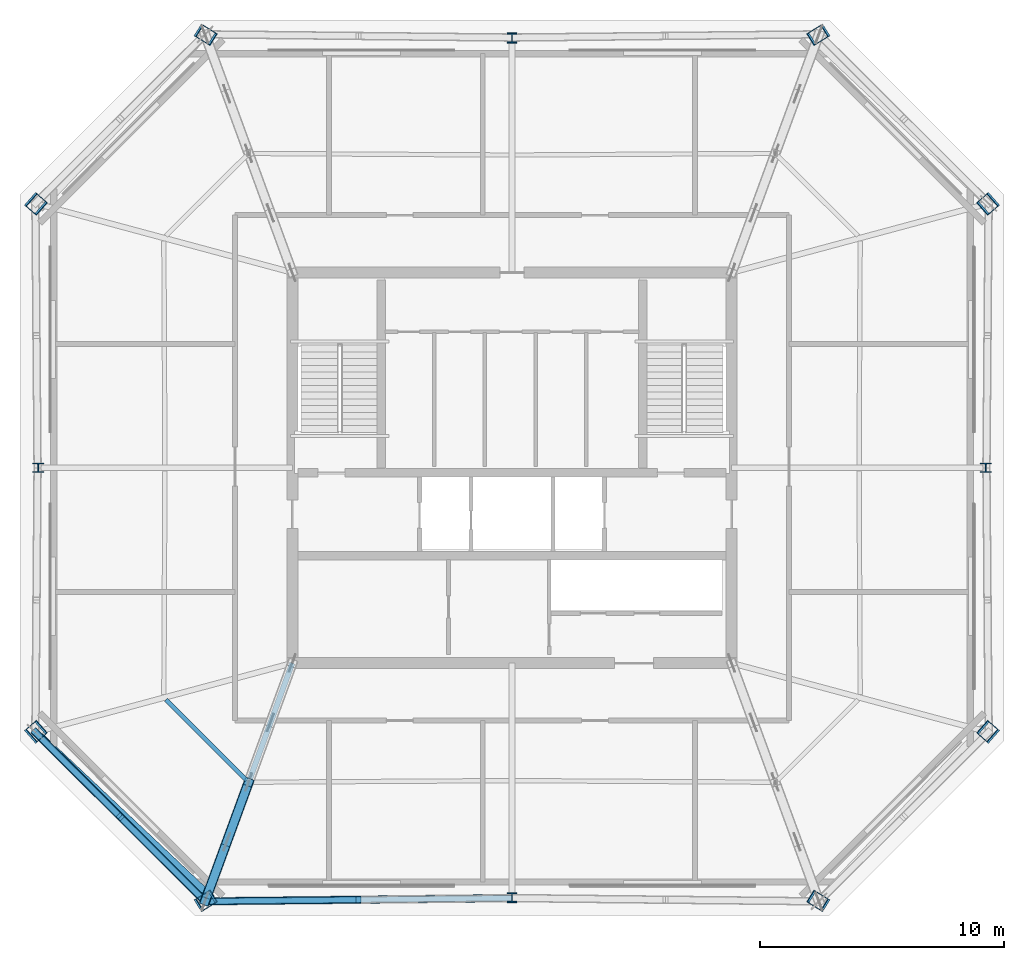
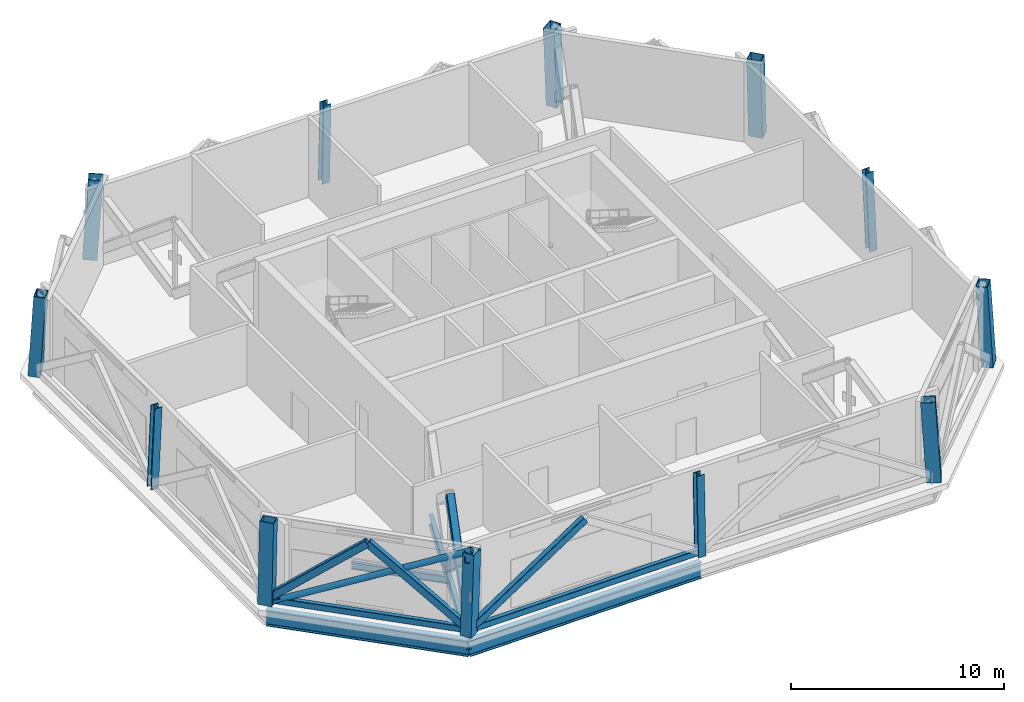
# One storey, part 1 of 10: 12 columns, 9 members, 4 beams.
"""IFC4 building model written with IfcOpenShell, lengths in metres."""

from ifc_helpers import new_model, si_unit, direction, frame, origin, origin_2d, place, context, subcontext, project, spatial, hollow_rectangle, hollow_circle, i_section, extrude, material, material_profile, profile_set, type_object, element, save


model = new_model("IFC4")

# Units and contexts
model_context = context("Model", 3, precision=1e-05, world=origin(), true_north=direction((0.0, 1.0)))
body_context = subcontext(model_context, "Body", "Model", "MODEL_VIEW")
ifc_project = project(units=[si_unit("LENGTHUNIT", "METRE"), si_unit("AREAUNIT", "SQUARE_METRE"), si_unit("VOLUMEUNIT", "CUBIC_METRE"), si_unit("PLANEANGLEUNIT", "RADIAN"), si_unit("MASSUNIT", "GRAM", prefix="KILO")], contexts=[model_context])

# Site, building, storey
site_placement = place(None, origin())
site = spatial("IfcSite", under=ifc_project, at=site_placement, CompositionType="ELEMENT")
building_placement = place(site_placement, origin())
building = spatial("IfcBuilding", under=site, at=building_placement, Name="Caelvoria Tower", CompositionType="ELEMENT")
storey_placement = place(building_placement, frame((0.0, 0.0, 234.60009765625)))
storey = spatial("IfcBuildingStorey", under=building, at=storey_placement, Name="L62", CompositionType="ELEMENT", Elevation=234.60009765625)

# Columns
ifc_material_1 = material(Name="Structural Steel ASTM A572 Gr.50", Category="steel")
ifc_material_profile_1 = material_profile(ifc_material_1, hollow_rectangle(XDim=0.580078125, YDim=0.699951171875, WallThickness=0.031982421875, at=origin_2d()), Name="Structural Steel ASTM A572 Gr.50")
ifc_profile_set_1 = profile_set([ifc_material_profile_1], Name="BOX700X580X32 - Structural Steel ASTM A572 Gr.50")
column_type_1 = type_object("IfcColumnType", Name="Mega Box Column 700x580x32", PredefinedType="COLUMN", material=ifc_profile_set_1)
for number, where, z_axis, x_axis, name in (
    (1, (33.42529296875, 14.2421875, 0.0), (0.0519022958, 0.032185817929, 0.998133370254), (-0.527015298837, 0.849855796469, 0.0), "Perimeter Megaframe Column L62-P00"),
    (2, (58.57470703125, 14.2421875, 0.0), (-0.0519022958, 0.032185817929, 0.998133370254), (-0.527015298837, -0.849855796469, 0.0), "Perimeter Megaframe Column L62-P02"),
):
    element("IfcColumn", number, at=place(storey_placement, frame(where, z_axis=z_axis, x_axis=x_axis)), inside=storey, type_object=column_type_1, Name=name, PredefinedType="COLUMN", context=body_context, shape_type="SweptSolid", body=[
        extrude(hollow_rectangle(XDim=0.580078125, YDim=0.699951171875, WallThickness=0.031982421875, at=origin_2d()), origin(), (0.0, 0.0, 1.0), 4.58154296875),
    ])
for number, where, z_axis, x_axis, name in (
    (3, (65.52490234375, 21.16748046875, 0.0), (-0.044818939226, 0.039329818251, 0.998220630964), (0.750297295971, -0.658405950567, 0.059628616594), "Perimeter Megaframe Column L62-P03"),
    (4, (65.52490234375, 42.83251953125, 0.0), (-0.044818939226, -0.039329818251, 0.998220630964), (0.750297295971, 0.658405950567, 0.059628616594), "Perimeter Megaframe Column L62-P05"),
):
    element("IfcColumn", number, at=place(storey_placement, frame(where, z_axis=z_axis, x_axis=x_axis)), inside=storey, type_object=column_type_1, Name=name, PredefinedType="COLUMN", context=body_context, shape_type="SweptSolid", body=[
        extrude(hollow_rectangle(XDim=0.580078125, YDim=0.699951171875, WallThickness=0.031982421875, at=origin_2d()), origin(), (0.0, 0.0, 1.0), 4.5810546875),
    ])
for number, where, z_axis, x_axis, name in (
    (5, (58.57470703125, 49.7578125, 0.0), (-0.0519022958, -0.032185817929, 0.998133370254), (0.527015298837, -0.849855796469, 0.0), "Perimeter Megaframe Column L62-P06"),
    (6, (33.42529296875, 49.7578125, 0.0), (0.0519022958, -0.032185817929, 0.998133370254), (0.527015298837, 0.849855796469, 0.0), "Perimeter Megaframe Column L62-P08"),
):
    element("IfcColumn", number, at=place(storey_placement, frame(where, z_axis=z_axis, x_axis=x_axis)), inside=storey, type_object=column_type_1, Name=name, PredefinedType="COLUMN", context=body_context, shape_type="SweptSolid", body=[
        extrude(hollow_rectangle(XDim=0.580078125, YDim=0.699951171875, WallThickness=0.031982421875, at=origin_2d()), origin(), (0.0, 0.0, 1.0), 4.58154296875),
    ])
for number, where, z_axis, x_axis, name in (
    (7, (26.47509765625, 42.83251953125, 0.0), (0.044818939226, -0.039329818251, 0.998220630964), (-0.750297295971, 0.658405950567, 0.059628616594), "Perimeter Megaframe Column L62-P09"),
    (8, (26.47509765625, 21.16748046875, 0.0), (0.044818939226, 0.039329818251, 0.998220630964), (-0.750297295971, -0.658405950567, 0.059628616594), "Perimeter Megaframe Column L62-P11"),
):
    element("IfcColumn", number, at=place(storey_placement, frame(where, z_axis=z_axis, x_axis=x_axis)), inside=storey, type_object=column_type_1, Name=name, PredefinedType="COLUMN", context=body_context, shape_type="SweptSolid", body=[
        extrude(hollow_rectangle(XDim=0.580078125, YDim=0.699951171875, WallThickness=0.031982421875, at=origin_2d()), origin(), (0.0, 0.0, 1.0), 4.5810546875),
    ])
ifc_material_2 = material(Name="Structural Steel ASTM A992 Gr.50", Category="steel")
ifc_material_profile_2 = material_profile(ifc_material_2, i_section(OverallWidth=0.40087890625, OverallDepth=0.39892578125, WebThickness=0.02490234375, FlangeThickness=0.03955078125, FilletRadius=0.02490234375, at=origin_2d()), Name="Structural Steel ASTM A992 Gr.50")
ifc_profile_set_2 = profile_set([ifc_material_profile_2], Name="W360X314 - Structural Steel ASTM A992 Gr.50")
column_type_2 = type_object("IfcColumnType", Name="Upper Frame Column W360X314", PredefinedType="COLUMN", material=ifc_profile_set_2)
column_1_placement = place(storey_placement, frame((46.0, 14.37451171875, 0.0), z_axis=(0.0, 0.031802814633, 0.999494162555), x_axis=(-1.0, 0.0, 0.0)))
element("IfcColumn", 9, at=column_1_placement, inside=storey, type_object=column_type_2, Name="Perimeter Megaframe Column L62-P01", PredefinedType="COLUMN", context=body_context, shape_type="SweptSolid", body=[
    extrude(i_section(OverallWidth=0.40087890625, OverallDepth=0.39892578125, WebThickness=0.02490234375, FlangeThickness=0.03955078125, FilletRadius=0.02490234375, at=origin_2d()), origin(), (0.0, 0.0, 1.0), 4.5751953125),
])
column_2_placement = place(storey_placement, frame((65.4345703125, 32.0, 0.0), z_axis=(-0.044693962311, 0.0, 0.999000725592), x_axis=(0.999000725592, 0.0, 0.044693962311)))
element("IfcColumn", 10, at=column_2_placement, inside=storey, type_object=column_type_2, Name="Perimeter Megaframe Column L62-P04", PredefinedType="COLUMN", context=body_context, shape_type="SweptSolid", body=[
    extrude(i_section(OverallWidth=0.40087890625, OverallDepth=0.39892578125, WebThickness=0.02490234375, FlangeThickness=0.03955078125, FilletRadius=0.02490234375, at=origin_2d()), origin(), (0.0, 0.0, 1.0), 4.57763671875),
])
column_3_placement = place(storey_placement, frame((46.0, 49.62548828125, 0.0), z_axis=(0.0, -0.031802814633, 0.999494162555), x_axis=(1.0, 0.0, 0.0)))
element("IfcColumn", 11, at=column_3_placement, inside=storey, type_object=column_type_2, Name="Perimeter Megaframe Column L62-P07", PredefinedType="COLUMN", context=body_context, shape_type="SweptSolid", body=[
    extrude(i_section(OverallWidth=0.40087890625, OverallDepth=0.39892578125, WebThickness=0.02490234375, FlangeThickness=0.03955078125, FilletRadius=0.02490234375, at=origin_2d()), origin(), (0.0, 0.0, 1.0), 4.5751953125),
])
column_4_placement = place(storey_placement, frame((26.5654296875, 32.0, 0.0), z_axis=(0.044693962311, 0.0, 0.999000725592), x_axis=(-0.999000725592, 0.0, 0.044693962311)))
element("IfcColumn", 12, at=column_4_placement, inside=storey, type_object=column_type_2, Name="Perimeter Megaframe Column L62-P10", PredefinedType="COLUMN", context=body_context, shape_type="SweptSolid", body=[
    extrude(i_section(OverallWidth=0.40087890625, OverallDepth=0.39892578125, WebThickness=0.02490234375, FlangeThickness=0.03955078125, FilletRadius=0.02490234375, at=origin_2d()), origin(), (0.0, 0.0, 1.0), 4.57763671875),
])

# Members
ifc_material_profile_3 = material_profile(ifc_material_1, hollow_rectangle(XDim=0.25, YDim=0.35009765625, WallThickness=0.013916015625, InnerFilletRadius=0.013916015625, OuterFilletRadius=0.028076171875, at=origin_2d()), Name="Structural Steel ASTM A572 Gr.50")
ifc_profile_set_3 = profile_set([ifc_material_profile_3], Name="HSS350X250X14 - Structural Steel ASTM A572 Gr.50")
member_type_1 = type_object("IfcMemberType", Name="Belt Truss Chord Member HSS350X250X14", PredefinedType="CHORD", material=ifc_profile_set_3)
member_1_placement = place(storey_placement, frame((33.42529296875, 14.2421875, 0.25), z_axis=(0.999944637351, 0.010522463275, 0.0), x_axis=(-0.010522463275, 0.999944637351, 0.0)))
element("IfcMember", 13, at=member_1_placement, inside=storey, type_object=member_type_1, Name="Belt Truss Bottom Chord L62-00", PredefinedType="CHORD", context=body_context, shape_type="SweptSolid", body=[
    extrude(hollow_rectangle(XDim=0.25, YDim=0.35009765625, WallThickness=0.013916015625, InnerFilletRadius=0.013916015625, OuterFilletRadius=0.028076171875, at=origin_2d()), origin(), (0.0, 0.0, 1.0), 12.575439453125),
])
member_2_placement = place(storey_placement, frame((26.47509765625, 21.16748046875, 0.25), z_axis=(0.708374685159, -0.705836599664, 0.0), x_axis=(0.705836599664, 0.708374685159, 0.0)))
element("IfcMember", 14, at=member_2_placement, inside=storey, type_object=member_type_1, Name="Belt Truss Bottom Chord L62-11", PredefinedType="CHORD", context=body_context, shape_type="SweptSolid", body=[
    extrude(hollow_rectangle(XDim=0.25, YDim=0.35009765625, WallThickness=0.013916015625, InnerFilletRadius=0.013916015625, OuterFilletRadius=0.028076171875, at=origin_2d()), origin(), (0.0, 0.0, 1.0), 9.8115234375),
])
ifc_material_profile_4 = material_profile(ifc_material_1, hollow_rectangle(XDim=0.300048828125, YDim=0.39990234375, WallThickness=0.01611328125, InnerFilletRadius=0.01611328125, OuterFilletRadius=0.031982421875, at=origin_2d()), Name="Structural Steel ASTM A572 Gr.50")
ifc_profile_set_4 = profile_set([ifc_material_profile_4], Name="HSS400X300X16 - Structural Steel ASTM A572 Gr.50")
member_type_2 = type_object("IfcMemberType", Name="Belt Truss Diagonal HSS400X300X16", PredefinedType="BRACE", material=ifc_profile_set_4)
member_3_placement = place(storey_placement, frame((33.42529296875, 14.2421875, 0.25), z_axis=(0.83913156162, 0.008830219904, 0.543856828136), x_axis=(-0.010522463275, 0.999944637351, 0.0)))
element("IfcMember", 15, at=member_3_placement, inside=storey, type_object=member_type_2, Name="Belt Truss Diagonal L62-00A", PredefinedType="BRACE", context=body_context, shape_type="SweptSolid", body=[
    extrude(hollow_rectangle(XDim=0.300048828125, YDim=0.39990234375, WallThickness=0.01611328125, InnerFilletRadius=0.01611328125, OuterFilletRadius=0.031982421875, at=origin_2d()), origin(), (0.0, 0.0, 1.0), 7.49267578125),
])
for number, where, z_axis, x_axis, name in (
    (16, (26.47509765625, 21.16748046875, 0.25), (0.544906737548, -0.542954352862, 0.638965740931), (0.705836599664, 0.708374685159, 0.0), "Belt Truss Diagonal L62-11A"),
    (17, (29.9501953125, 17.704833984375, 4.324951171875), (0.544906737548, -0.542954352862, -0.638965740931), (0.705836599664, 0.708374685159, 0.0), "Belt Truss Diagonal L62-11B"),
):
    element("IfcMember", number, at=place(storey_placement, frame(where, z_axis=z_axis, x_axis=x_axis)), inside=storey, type_object=member_type_2, Name=name, PredefinedType="BRACE", context=body_context, shape_type="SweptSolid", body=[
        extrude(hollow_rectangle(XDim=0.300048828125, YDim=0.39990234375, WallThickness=0.01611328125, InnerFilletRadius=0.01611328125, OuterFilletRadius=0.031982421875, at=origin_2d()), origin(), (0.0, 0.0, 1.0), 6.37744140625),
    ])
ifc_material_profile_5 = material_profile(ifc_material_1, hollow_rectangle(XDim=0.39990234375, YDim=0.5, WallThickness=0.02197265625, InnerFilletRadius=0.02197265625, OuterFilletRadius=0.0439453125, at=origin_2d()), Name="Structural Steel ASTM A572 Gr.50")
ifc_profile_set_5 = profile_set([ifc_material_profile_5], Name="HSS500X400X22 - Structural Steel ASTM A572 Gr.50")
member_type_3 = type_object("IfcMemberType", Name="Outrigger Diagonal HSS500X400X22", PredefinedType="BRACE", material=ifc_profile_set_5)
member_4_placement = place(storey_placement, frame((35.212646484375, 19.12109375, 0.25), z_axis=(-0.270675754431, -0.738858663645, 0.617108184292), x_axis=(0.93897448414, -0.343986799359, 0.0)))
element("IfcMember", 18, at=member_4_placement, inside=storey, type_object=member_type_3, Name="Outrigger Truss Diagonal L62-SW-2A", PredefinedType="BRACE", context=body_context, shape_type="SweptSolid", body=[
    extrude(hollow_rectangle(XDim=0.39990234375, YDim=0.5, WallThickness=0.02197265625, InnerFilletRadius=0.02197265625, OuterFilletRadius=0.0439453125, at=origin_2d()), origin(), (0.0, 0.0, 1.0), 6.603271484375),
])
member_5_placement = place(storey_placement, frame((35.212646484375, 19.12109375, 4.324951171875), z_axis=(-0.270703841243, -0.738834411826, -0.61712490003), x_axis=(0.938959307136, -0.344028224922, 0.0)))
element("IfcMember", 19, at=member_5_placement, inside=storey, type_object=member_type_3, Name="Outrigger Truss Diagonal L62-SW-2B1", PredefinedType="BRACE", context=body_context, shape_type="SweptSolid", body=[
    extrude(hollow_rectangle(XDim=0.39990234375, YDim=0.5, WallThickness=0.02197265625, InnerFilletRadius=0.02197265625, OuterFilletRadius=0.0439453125, at=origin_2d()), origin(), (0.0, 0.0, 1.0), 3.3017578125),
])
member_6_placement = place(storey_placement, frame((34.31884765625, 16.681640625, 2.287353515625), z_axis=(-0.270647665326, -0.738882915831, -0.617091466434), x_axis=(0.938989659808, -0.343945371787, 0.0)))
element("IfcMember", 20, at=member_6_placement, inside=storey, type_object=member_type_3, Name="Outrigger Truss Diagonal L62-SW-2B2", PredefinedType="BRACE", context=body_context, shape_type="SweptSolid", body=[
    extrude(hollow_rectangle(XDim=0.39990234375, YDim=0.5, WallThickness=0.02197265625, InnerFilletRadius=0.02197265625, OuterFilletRadius=0.0439453125, at=origin_2d()), origin(), (0.0, 0.0, 1.0), 3.301513671875),
])

# Beams
ifc_material_profile_6 = material_profile(ifc_material_2, i_section(OverallWidth=0.30810546875, OverallDepth=0.927001953125, WebThickness=0.019287109375, FlangeThickness=0.031982421875, FilletRadius=0.02392578125, at=origin_2d()), Name="Structural Steel ASTM A992 Gr.50")
ifc_profile_set_6 = profile_set([ifc_material_profile_6], Name="W920X289 - Structural Steel ASTM A992 Gr.50")
beam_type_1 = type_object("IfcBeamType", Name="Outrigger Tie Girder W920X289", PredefinedType="BEAM", material=ifc_profile_set_6)
beam_1_placement = place(storey_placement, frame((33.42529296875, 14.2421875, -0.78369140625), z_axis=(0.999944637351, 0.010522463275, 0.0), x_axis=(-0.010522463275, 0.999944637351, 0.0)))
element("IfcBeam", 21, at=beam_1_placement, inside=storey, type_object=beam_type_1, Name="Perimeter Spandrel Girder L62-00", PredefinedType="BEAM", context=body_context, shape_type="SweptSolid", body=[
    extrude(i_section(OverallWidth=0.30810546875, OverallDepth=0.927001953125, WebThickness=0.019287109375, FlangeThickness=0.031982421875, FilletRadius=0.02392578125, at=origin_2d()), origin(), (0.0, 0.0, 1.0), 12.575439453125),
])
beam_2_placement = place(storey_placement, frame((26.47509765625, 21.16748046875, -0.78369140625), z_axis=(0.708374685159, -0.705836599664, 0.0), x_axis=(0.705836599664, 0.708374685159, 0.0)))
element("IfcBeam", 22, at=beam_2_placement, inside=storey, type_object=beam_type_1, Name="Perimeter Spandrel Girder L62-11", PredefinedType="BEAM", context=body_context, shape_type="SweptSolid", body=[
    extrude(i_section(OverallWidth=0.30810546875, OverallDepth=0.927001953125, WebThickness=0.019287109375, FlangeThickness=0.031982421875, FilletRadius=0.02392578125, at=origin_2d()), origin(), (0.0, 0.0, 1.0), 9.8115234375),
])
ifc_material_profile_7 = material_profile(ifc_material_2, i_section(OverallWidth=0.22802734375, OverallDepth=0.60302734375, WebThickness=0.010498046875, FlangeThickness=0.014892578125, FilletRadius=0.01806640625, at=origin_2d()), Name="Structural Steel ASTM A992 Gr.50")
ifc_profile_set_7 = profile_set([ifc_material_profile_7], Name="W610X101 - Structural Steel ASTM A992 Gr.50")
beam_type_2 = type_object("IfcBeamType", Name="Primary Floor Girder W610X101", PredefinedType="BEAM", material=ifc_profile_set_7)
beam_3_placement = place(storey_placement, frame((37.0, 24.0, -0.62158203125), z_axis=(-0.343986799359, -0.93897448414, 0.0), x_axis=(0.93897448414, -0.343986799359, 0.0)))
element("IfcBeam", 23, at=beam_3_placement, inside=storey, type_object=beam_type_2, Name="Primary Floor Girder L62-00", PredefinedType="BEAM", context=body_context, shape_type="SweptSolid", body=[
    extrude(i_section(OverallWidth=0.22802734375, OverallDepth=0.60302734375, WebThickness=0.010498046875, FlangeThickness=0.014892578125, FilletRadius=0.01806640625, at=origin_2d()), origin(), (0.0, 0.0, 1.0), 10.39208984375),
])
ifc_material_profile_8 = material_profile(ifc_material_2, i_section(OverallWidth=0.177978515625, OverallDepth=0.406982421875, WebThickness=0.0078125, FlangeThickness=0.0126953125, FilletRadius=0.013916015625, at=origin_2d()), Name="Structural Steel ASTM A992 Gr.50")
ifc_profile_set_8 = profile_set([ifc_material_profile_8], Name="W410X60 - Structural Steel ASTM A992 Gr.50")
beam_type_3 = type_object("IfcBeamType", Name="Secondary Floor Beam W410X60", PredefinedType="BEAM", material=ifc_profile_set_8)
beam_4_placement = place(storey_placement, frame((31.825927734375, 22.49560546875, -0.523681640625), z_axis=(0.708364136335, -0.705847186262, 0.0), x_axis=(0.705847186262, 0.708364136335, 0.0)))
element("IfcBeam", 24, at=beam_4_placement, inside=storey, type_object=beam_type_3, Name="Secondary Floor Beam L62-11", PredefinedType="BEAM", context=body_context, shape_type="SweptSolid", body=[
    extrude(i_section(OverallWidth=0.177978515625, OverallDepth=0.406982421875, WebThickness=0.0078125, FlangeThickness=0.0126953125, FilletRadius=0.013916015625, at=origin_2d()), origin(), (0.0, 0.0, 1.0), 4.656005859375),
])

# Member
ifc_material_profile_9 = material_profile(ifc_material_1, hollow_circle(Radius=0.162109375, WallThickness=0.0126953125, at=origin_2d()), Name="Structural Steel ASTM A572 Gr.50")
ifc_profile_set_9 = profile_set([ifc_material_profile_9], Name="CHS324X12.7 - Structural Steel ASTM A572 Gr.50")
member_type_4 = type_object("IfcMemberType", Name="Summit Perimeter Mega Brace CHS324X12.7", PredefinedType="BRACE", material=ifc_profile_set_9)
member_7_placement = place(storey_placement, frame((26.47509765625, 21.16748046875, 0.0), z_axis=(0.660209190252, -0.622536768554, 0.420204470353), x_axis=(0.686044264849, 0.727559802812, 0.0)))
element("IfcMember", 25, at=member_7_placement, inside=storey, type_object=member_type_4, Name="Perimeter Chamfer Mega Brace L62 SW", PredefinedType="BRACE", context=body_context, shape_type="SweptSolid", body=[
    extrude(hollow_circle(Radius=0.162109375, WallThickness=0.0126953125, at=origin_2d()), origin(), (0.0, 0.0, 1.0), 10.887451171875),
])

save(model, "model.ifc")
